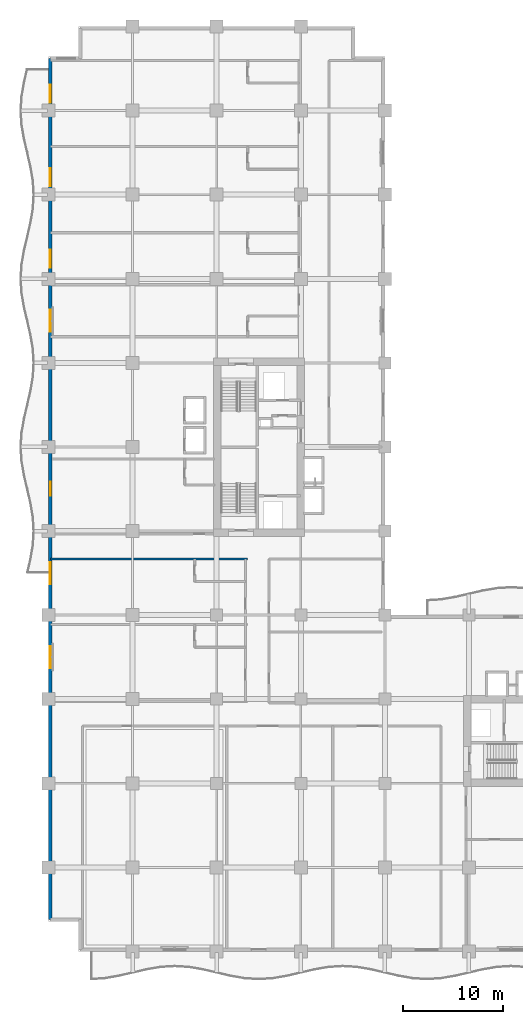
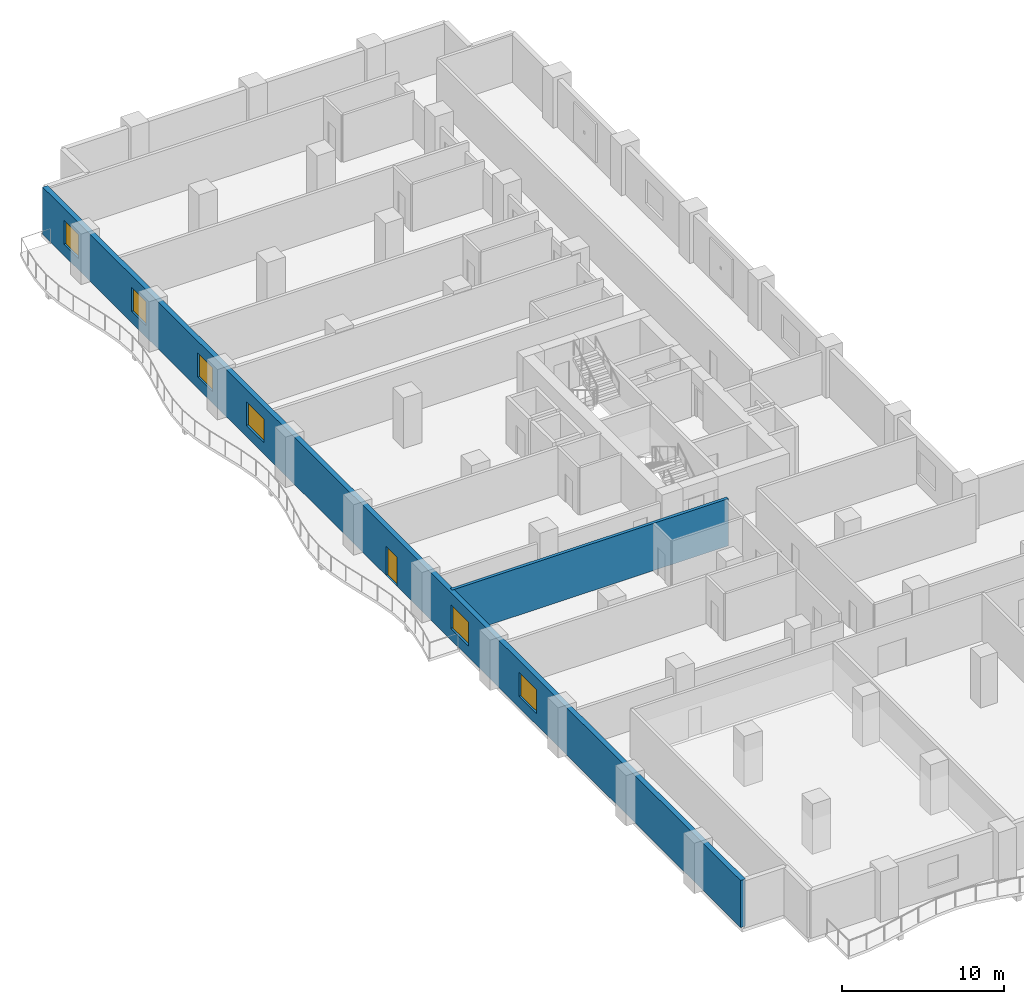
# One storey, part 11 of 24: 6 windows, 2 walls, 1 door, 7 openings.
"""IFC4 building model written with IfcOpenShell, lengths in metres."""

from ifc_helpers import new_model, si_unit, direction, frame, frame_2d, origin, place, context, subcontext, project, spatial, rectangle, extrude, material, layer, layer_set, type_object, element, fill, save


model = new_model("IFC4")

# Units and contexts
model_context = context("Model", 3, precision=1e-05, world=origin(), true_north=direction((0.0, 1.0)))
body_context = subcontext(model_context, "Body", "Model", "MODEL_VIEW")
ifc_project = project(units=[si_unit("LENGTHUNIT", "METRE"), si_unit("AREAUNIT", "SQUARE_METRE"), si_unit("VOLUMEUNIT", "CUBIC_METRE"), si_unit("PLANEANGLEUNIT", "RADIAN"), si_unit("MASSUNIT", "GRAM", prefix="KILO")], contexts=[model_context])

# Site, building, storey
site_placement = place(None, origin())
site = spatial("IfcSite", under=ifc_project, at=site_placement, CompositionType="ELEMENT")
building_placement = place(site_placement, origin())
building = spatial("IfcBuilding", under=site, at=building_placement, Name="Koriwani Terraces Tower", CompositionType="ELEMENT")
storey_placement = place(building_placement, frame((0.0, 0.0, 149.39990234375)))
storey = spatial("IfcBuildingStorey", under=building, at=storey_placement, Name="L36", CompositionType="ELEMENT", Elevation=149.39990234375)

# Wall
ifc_material_1 = material(Name="Autoclaved Cellular Concrete Blockwork", Category="masonry")
ifc_layer_1 = layer(ifc_material_1, 0.219970703125, Name="Autoclaved Cellular Concrete Blockwork")
ifc_layer_set_1 = layer_set([ifc_layer_1], Name="Autoclaved Cellular Concrete Blockwork")
wall_type_1 = type_object("IfcWallType", Name="WALL_DEMISING_220", PredefinedType="PARTITIONING", material=ifc_layer_set_1)
wall_1_placement = place(storey_placement, frame((0.199951171875, 39.199951171875, 0.0), z_axis=(0.0, 0.0, 1.0), x_axis=(1.0, 0.0, 0.0)))
element("IfcWall", 1, at=wall_1_placement, inside=storey, type_object=wall_type_1, Name="L36 Interior Wall WDEME-L36-NW", PredefinedType="PARTITIONING", context=body_context, shape_type="SweptSolid", body=[
    extrude(rectangle(XDim=19.679931640625, YDim=0.219970703125, at=frame_2d((9.83984375, 0.0))), origin(), (0.0, 0.0, 1.0), 3.550048828125),
])

# Wall, openings, door, windows
ifc_material_2 = material(Name="Concrete C50/60", Category="concrete")
ifc_layer_2 = layer(ifc_material_2, 0.35009765625, Name="Concrete C50/60")
ifc_layer_set_2 = layer_set([ifc_layer_2], Name="Concrete C50/60")
wall_type_2 = type_object("IfcWallType", Name="WALL_EXT_BRUTALIST_350", PredefinedType="STANDARD", material=ifc_layer_set_2)
wall_2_placement = place(storey_placement, frame((0.175048828125, 3.175048828125, 0.0), z_axis=(0.0, 0.0, 1.0), x_axis=(0.0, 1.0, 0.0)))
wall_2 = element("IfcWall", 2, at=wall_2_placement, inside=storey, type_object=wall_type_2, Name="L36 Fair-Faced Brutalist Exterior Wall (W)", PredefinedType="STANDARD", context=body_context, shape_type="SweptSolid", body=[
    extrude(rectangle(XDim=86.050048828125, YDim=0.35009765625, at=frame_2d((43.02490234375, 0.0))), origin(), (0.0, 0.0, 1.0), 3.550048828125),
])
opening_1_placement = place(wall_2_placement, frame((42.324951171875, 0.0, 0.0)))
opening_1 = element("IfcOpeningElement", 3, at=opening_1_placement, cuts=wall_2, Name="Opening D-09", PredefinedType="OPENING", context=body_context, shape_type="SweptSolid", body=[
    extrude(rectangle(XDim=1.39990234375, YDim=2.199951171875, at=frame_2d((0.699951171875, 1.10009765625))), frame((0.0, 0.18505859375, 0.0), z_axis=(0.0, -1.0, 0.0), x_axis=(1.0, 0.0, 0.0)), (0.0, 0.0, 1.0), 0.3701171875),
])
opening_2_placement = place(wall_2_placement, frame((25.125, 0.0, 0.85009765625)))
opening_2 = element("IfcOpeningElement", 4, at=opening_2_placement, cuts=wall_2, Name="Opening W-01", PredefinedType="OPENING", context=body_context, shape_type="SweptSolid", body=[
    extrude(rectangle(XDim=2.199951171875, YDim=1.800048828125, at=frame_2d((1.10009765625, 0.89990234375))), frame((0.0, 0.18505859375, 0.0), z_axis=(0.0, -1.0, 0.0), x_axis=(1.0, 0.0, 0.0)), (0.0, 0.0, 1.0), 0.3701171875),
])
opening_3_placement = place(wall_2_placement, frame((33.52490234375, 0.0, 0.85009765625)))
opening_3 = element("IfcOpeningElement", 5, at=opening_3_placement, cuts=wall_2, Name="Opening W-01", PredefinedType="OPENING", context=body_context, shape_type="SweptSolid", body=[
    extrude(rectangle(XDim=2.199951171875, YDim=1.800048828125, at=frame_2d((1.10009765625, 0.89990234375))), frame((0.0, 0.18505859375, 0.0), z_axis=(0.0, -1.0, 0.0), x_axis=(1.0, 0.0, 0.0)), (0.0, 0.0, 1.0), 0.3701171875),
])
opening_4_placement = place(wall_2_placement, frame((58.72509765625, 0.0, 0.85009765625)))
opening_4 = element("IfcOpeningElement", 6, at=opening_4_placement, cuts=wall_2, Name="Opening W-01", PredefinedType="OPENING", context=body_context, shape_type="SweptSolid", body=[
    extrude(rectangle(XDim=2.199951171875, YDim=1.800048828125, at=frame_2d((1.10009765625, 0.89990234375))), frame((0.0, 0.18505859375, 0.0), z_axis=(0.0, -1.0, 0.0), x_axis=(1.0, 0.0, 0.0)), (0.0, 0.0, 1.0), 0.3701171875),
])
opening_5_placement = place(wall_2_placement, frame((65.125, 0.0, 0.85009765625)))
opening_5 = element("IfcOpeningElement", 7, at=opening_5_placement, cuts=wall_2, Name="Opening W-04", PredefinedType="OPENING", context=body_context, shape_type="SweptSolid", body=[
    extrude(rectangle(XDim=1.800048828125, YDim=1.800048828125, at=frame_2d((0.89990234375, 0.89990234375))), frame((0.0, 0.18505859375, 0.0), z_axis=(0.0, -1.0, 0.0), x_axis=(1.0, 0.0, 0.0)), (0.0, 0.0, 1.0), 0.3701171875),
])
opening_6_placement = place(wall_2_placement, frame((73.27490234375, 0.0, 0.85009765625)))
opening_6 = element("IfcOpeningElement", 8, at=opening_6_placement, cuts=wall_2, Name="Opening W-04", PredefinedType="OPENING", context=body_context, shape_type="SweptSolid", body=[
    extrude(rectangle(XDim=1.800048828125, YDim=1.800048828125, at=frame_2d((0.89990234375, 0.89990234375))), frame((0.0, 0.18505859375, 0.0), z_axis=(0.0, -1.0, 0.0), x_axis=(1.0, 0.0, 0.0)), (0.0, 0.0, 1.0), 0.3701171875),
])
opening_7_placement = place(wall_2_placement, frame((81.625, 0.0, 0.85009765625)))
opening_7 = element("IfcOpeningElement", 9, at=opening_7_placement, cuts=wall_2, Name="Opening W-04", PredefinedType="OPENING", context=body_context, shape_type="SweptSolid", body=[
    extrude(rectangle(XDim=1.800048828125, YDim=1.800048828125, at=frame_2d((0.89990234375, 0.89990234375))), frame((0.0, 0.18505859375, 0.0), z_axis=(0.0, -1.0, 0.0), x_axis=(1.0, 0.0, 0.0)), (0.0, 0.0, 1.0), 0.3701171875),
])
ifc_material_3 = material(Name="Anodised Bronze Aluminium", Category="aluminium")
door_type = type_object("IfcDoorType", Name="DOOR_BALCONY_GLAZED_1400X2200", OperationType="NOTDEFINED", PredefinedType="DOOR", material=ifc_material_3)
door_placement = place(opening_1_placement, origin())
door = element("IfcDoor", 10, at=door_placement, inside=storey, type_object=door_type, Name="L36 West Balcony Glazed Door", OperationType="SINGLE_SWING_LEFT", OverallHeight=2.199951171875, OverallWidth=1.39990234375, PredefinedType="DOOR", context=body_context, shape_type="SweptSolid", body=[
    extrude(rectangle(XDim=1.39990234375, YDim=2.199951171875, at=frame_2d((0.699951171875, 1.10009765625))), frame((0.0, 0.02490234375, 0.0), z_axis=(0.0, -1.0, 0.0), x_axis=(1.0, 0.0, 0.0)), (0.0, 0.0, 1.0), 0.050048828125),
])
fill(opening_1, door)
ifc_material_4 = material(Name="Tempered Laminated Low-E Glass", Category="glass")
window_type_1 = type_object("IfcWindowType", Name="WIN_HOTEL_STD_2200X1800", PartitioningType="DOUBLE_PANEL_VERTICAL", PredefinedType="WINDOW", material=ifc_material_4)
window_1_placement = place(opening_2_placement, origin())
window_1 = element("IfcWindow", 11, at=window_1_placement, inside=storey, type_object=window_type_1, Name="L36 Exterior Window (W-9)", OverallHeight=1.800048828125, OverallWidth=2.199951171875, PartitioningType="SINGLE_PANEL", PredefinedType="WINDOW", context=body_context, shape_type="SweptSolid", body=[
    extrude(rectangle(XDim=2.199951171875, YDim=1.800048828125, at=frame_2d((1.10009765625, 0.89990234375))), frame((0.0, 0.030029296875, 0.0), z_axis=(0.0, -1.0, 0.0), x_axis=(1.0, 0.0, 0.0)), (0.0, 0.0, 1.0), 0.06005859375),
])
fill(opening_2, window_1)
window_2_placement = place(opening_3_placement, origin())
window_2 = element("IfcWindow", 12, at=window_2_placement, inside=storey, type_object=window_type_1, Name="L36 Exterior Window (W-12)", OverallHeight=1.800048828125, OverallWidth=2.199951171875, PartitioningType="SINGLE_PANEL", PredefinedType="WINDOW", context=body_context, shape_type="SweptSolid", body=[
    extrude(rectangle(XDim=2.199951171875, YDim=1.800048828125, at=frame_2d((1.10009765625, 0.89990234375))), frame((0.0, 0.030029296875, 0.0), z_axis=(0.0, -1.0, 0.0), x_axis=(1.0, 0.0, 0.0)), (0.0, 0.0, 1.0), 0.06005859375),
])
fill(opening_3, window_2)
window_3_placement = place(opening_4_placement, origin())
window_3 = element("IfcWindow", 13, at=window_3_placement, inside=storey, type_object=window_type_1, Name="L36 Exterior Window (W-21)", OverallHeight=1.800048828125, OverallWidth=2.199951171875, PartitioningType="SINGLE_PANEL", PredefinedType="WINDOW", context=body_context, shape_type="SweptSolid", body=[
    extrude(rectangle(XDim=2.199951171875, YDim=1.800048828125, at=frame_2d((1.10009765625, 0.89990234375))), frame((0.0, 0.030029296875, 0.0), z_axis=(0.0, -1.0, 0.0), x_axis=(1.0, 0.0, 0.0)), (0.0, 0.0, 1.0), 0.06005859375),
])
fill(opening_4, window_3)
window_type_2 = type_object("IfcWindowType", Name="WIN_RES_BED_1800X1800", PartitioningType="DOUBLE_PANEL_VERTICAL", PredefinedType="WINDOW", material=ifc_material_4)
window_4_placement = place(opening_5_placement, origin())
window_4 = element("IfcWindow", 14, at=window_4_placement, inside=storey, type_object=window_type_2, Name="L36 Exterior Window (W-R40)", OverallHeight=1.800048828125, OverallWidth=1.800048828125, PartitioningType="SINGLE_PANEL", PredefinedType="WINDOW", context=body_context, shape_type="SweptSolid", body=[
    extrude(rectangle(XDim=1.800048828125, YDim=1.800048828125, at=frame_2d((0.89990234375, 0.89990234375))), frame((0.0, 0.030029296875, 0.0), z_axis=(0.0, -1.0, 0.0), x_axis=(1.0, 0.0, 0.0)), (0.0, 0.0, 1.0), 0.06005859375),
])
fill(opening_5, window_4)
window_5_placement = place(opening_6_placement, origin())
window_5 = element("IfcWindow", 15, at=window_5_placement, inside=storey, type_object=window_type_2, Name="L36 Exterior Window (W-R42)", OverallHeight=1.800048828125, OverallWidth=1.800048828125, PartitioningType="SINGLE_PANEL", PredefinedType="WINDOW", context=body_context, shape_type="SweptSolid", body=[
    extrude(rectangle(XDim=1.800048828125, YDim=1.800048828125, at=frame_2d((0.89990234375, 0.89990234375))), frame((0.0, 0.030029296875, 0.0), z_axis=(0.0, -1.0, 0.0), x_axis=(1.0, 0.0, 0.0)), (0.0, 0.0, 1.0), 0.06005859375),
])
fill(opening_6, window_5)
window_6_placement = place(opening_7_placement, origin())
window_6 = element("IfcWindow", 16, at=window_6_placement, inside=storey, type_object=window_type_2, Name="L36 Exterior Window (W-R44)", OverallHeight=1.800048828125, OverallWidth=1.800048828125, PartitioningType="SINGLE_PANEL", PredefinedType="WINDOW", context=body_context, shape_type="SweptSolid", body=[
    extrude(rectangle(XDim=1.800048828125, YDim=1.800048828125, at=frame_2d((0.89990234375, 0.89990234375))), frame((0.0, 0.030029296875, 0.0), z_axis=(0.0, -1.0, 0.0), x_axis=(1.0, 0.0, 0.0)), (0.0, 0.0, 1.0), 0.06005859375),
])
fill(opening_7, window_6)

save(model, "model.ifc")
